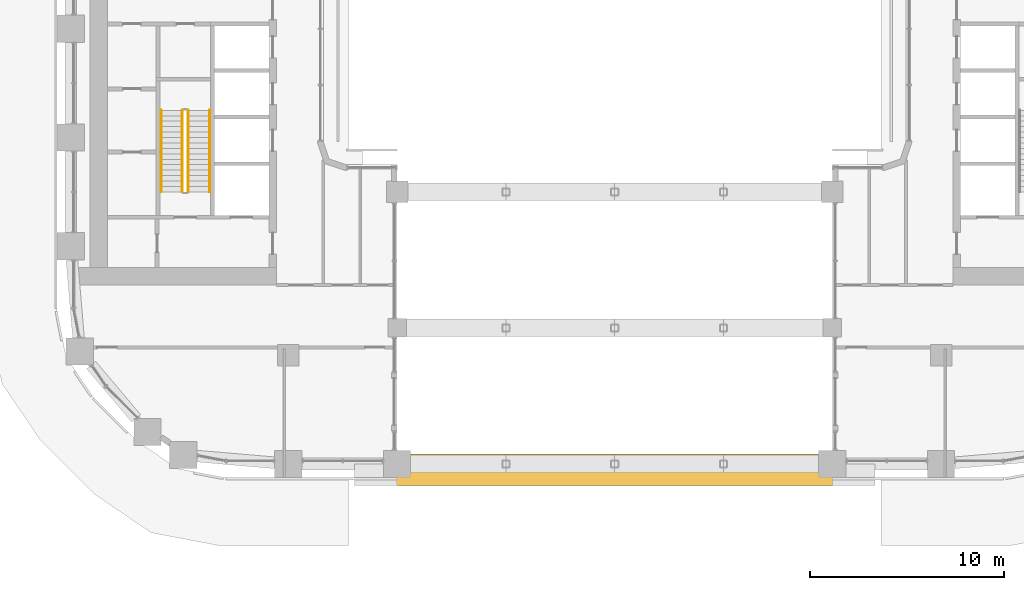
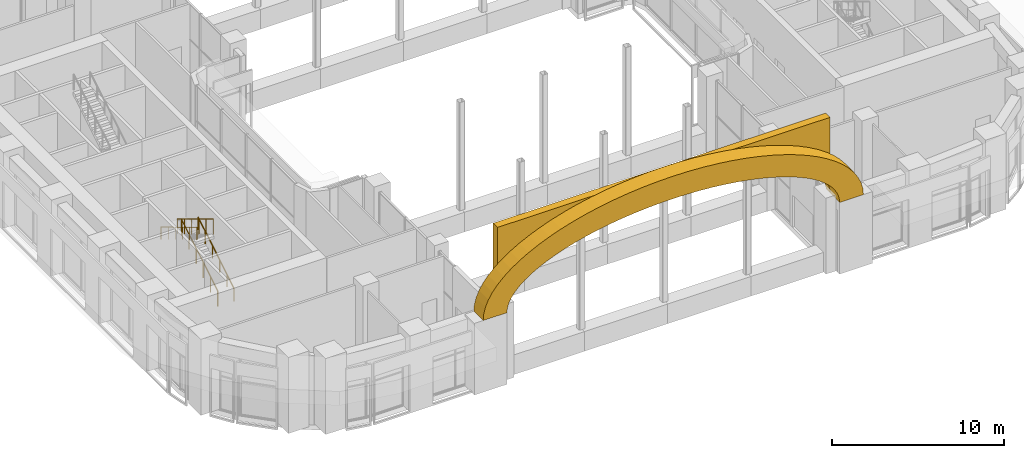
# One storey, part 20 of 27: 4 railings, 2 coverings.
"""IFC4 building model written with IfcOpenShell, lengths in metres."""

from ifc_helpers import new_model, si_unit, direction, frame, origin, origin_2d, place, context, subcontext, project, spatial, polyline, circle, outline, extrude, material, layer, layer_set, type_object, element, save


model = new_model("IFC4")

# Units and contexts
model_context = context("Model", 3, precision=1e-05, world=origin(), true_north=direction((0.0, 1.0)))
body_context = subcontext(model_context, "Body", "Model", "MODEL_VIEW")
ifc_project = project(units=[si_unit("LENGTHUNIT", "METRE"), si_unit("AREAUNIT", "SQUARE_METRE"), si_unit("VOLUMEUNIT", "CUBIC_METRE"), si_unit("PLANEANGLEUNIT", "RADIAN"), si_unit("MASSUNIT", "GRAM", prefix="KILO")], contexts=[model_context])

# Site, building, storey
site_placement = place(None, origin())
site = spatial("IfcSite", under=ifc_project, at=site_placement, CompositionType="ELEMENT")
building_placement = place(site_placement, origin())
building = spatial("IfcBuilding", under=site, at=building_placement, Name="Kiln Ring Residences", CompositionType="ELEMENT")
storey_placement = place(building_placement, frame((0.0, 0.0, 72.5)))
storey = spatial("IfcBuildingStorey", under=building, at=storey_placement, Name="L18", CompositionType="ELEMENT", Elevation=72.5)

# Railings
ifc_material_1 = material(Name="Stainless steel", Category="steel")
railing_type_1 = type_object("IfcRailingType", Name="CORE-STAIR-GUARD", PredefinedType="GUARDRAIL", material=ifc_material_1)
railing_1_placement = place(storey_placement, frame((-21.949951171875, -8.39990234375, 0.168701171875)))
element("IfcRailing", 1, at=railing_1_placement, inside=storey, type_object=railing_type_1, Name="L18 W-STS stair guard 1", PredefinedType="GUARDRAIL", context=body_context, shape_type="SweptSolid", body=[
    extrude(circle(Radius=0.02392578125, at=origin_2d()), frame((0.0, 0.0, 1.076171875), z_axis=(0.0, 0.856476492594, 0.516186030065), x_axis=(-1.0, 0.0, 0.0)), (0.0, 0.0, 1.0), 4.90380859375),
    extrude(circle(Radius=0.02099609375, at=origin_2d()), origin(), (0.0, 0.0, 1.0), 1.052001953125),
    extrude(circle(Radius=0.02099609375, at=origin_2d()), frame((0.0, 0.840087890625, 0.50634765625)), (0.0, 0.0, 1.0), 1.052001953125),
    extrude(circle(Radius=0.02099609375, at=origin_2d()), frame((0.0, 1.679931640625, 1.012451171875)), (0.0, 0.0, 1.0), 1.052001953125),
    extrude(circle(Radius=0.02099609375, at=origin_2d()), frame((0.0, 2.52001953125, 1.518798828125)), (0.0, 0.0, 1.0), 1.052001953125),
    extrude(circle(Radius=0.02099609375, at=origin_2d()), frame((0.0, 3.35986328125, 2.02490234375)), (0.0, 0.0, 1.0), 1.052001953125),
    extrude(circle(Radius=0.02099609375, at=origin_2d()), frame((0.0, 4.199951171875, 2.53125)), (0.0, 0.0, 1.0), 1.052001953125),
])
railing_2_placement = place(storey_placement, frame((-22.25, -4.199951171875, 2.86865234375)))
element("IfcRailing", 2, at=railing_2_placement, inside=storey, type_object=railing_type_1, Name="L18 W-STS stair guard 3", PredefinedType="GUARDRAIL", context=body_context, shape_type="SweptSolid", body=[
    extrude(circle(Radius=0.02392578125, at=origin_2d()), frame((0.0, 0.0, 1.076171875), z_axis=(0.0, -0.856476492594, 0.516186030065), x_axis=(1.0, 0.0, 0.0)), (0.0, 0.0, 1.0), 4.90380859375),
    extrude(circle(Radius=0.02099609375, at=origin_2d()), origin(), (0.0, 0.0, 1.0), 1.052001953125),
    extrude(circle(Radius=0.02099609375, at=origin_2d()), frame((0.0, -0.840087890625, 0.50634765625)), (0.0, 0.0, 1.0), 1.052001953125),
    extrude(circle(Radius=0.02099609375, at=origin_2d()), frame((0.0, -1.679931640625, 1.012451171875)), (0.0, 0.0, 1.0), 1.052001953125),
    extrude(circle(Radius=0.02099609375, at=origin_2d()), frame((0.0, -2.52001953125, 1.518798828125)), (0.0, 0.0, 1.0), 1.052001953125),
    extrude(circle(Radius=0.02099609375, at=origin_2d()), frame((0.0, -3.35986328125, 2.02490234375)), (0.0, 0.0, 1.0), 1.052001953125),
    extrude(circle(Radius=0.02099609375, at=origin_2d()), frame((0.0, -4.199951171875, 2.53125)), (0.0, 0.0, 1.0), 1.052001953125),
])
ifc_material_2 = material(Name="Stainless steel", Category="steel")
railing_type_2 = type_object("IfcRailingType", Name="CORE-STAIR-HANDRAIL", PredefinedType="HANDRAIL", material=ifc_material_2)
railing_3_placement = place(storey_placement, frame((-20.85009765625, -8.39990234375, 0.168701171875)))
element("IfcRailing", 3, at=railing_3_placement, inside=storey, type_object=railing_type_2, Name="L18 W-STS stair handrail 1", PredefinedType="HANDRAIL", context=body_context, shape_type="SweptSolid", body=[
    extrude(circle(Radius=0.02392578125, at=origin_2d()), frame((0.0, 0.0, 0.8759765625), z_axis=(0.0, 0.856476492594, 0.516186030065), x_axis=(-1.0, 0.0, 0.0)), (0.0, 0.0, 1.0), 4.90380859375),
    extrude(circle(Radius=0.02099609375, at=origin_2d()), origin(), (0.0, 0.0, 1.0), 0.851806640625),
    extrude(circle(Radius=0.02099609375, at=origin_2d()), frame((0.0, 0.840087890625, 0.50634765625)), (0.0, 0.0, 1.0), 0.851806640625),
    extrude(circle(Radius=0.02099609375, at=origin_2d()), frame((0.0, 1.679931640625, 1.012451171875)), (0.0, 0.0, 1.0), 0.851806640625),
    extrude(circle(Radius=0.02099609375, at=origin_2d()), frame((0.0, 2.52001953125, 1.518798828125)), (0.0, 0.0, 1.0), 0.851806640625),
    extrude(circle(Radius=0.02099609375, at=origin_2d()), frame((0.0, 3.35986328125, 2.02490234375)), (0.0, 0.0, 1.0), 0.851806640625),
    extrude(circle(Radius=0.02099609375, at=origin_2d()), frame((0.0, 4.199951171875, 2.53125)), (0.0, 0.0, 1.0), 0.851806640625),
])
railing_4_placement = place(storey_placement, frame((-23.35009765625, -4.199951171875, 2.86865234375)))
element("IfcRailing", 4, at=railing_4_placement, inside=storey, type_object=railing_type_2, Name="L18 W-STS stair handrail 2", PredefinedType="HANDRAIL", context=body_context, shape_type="SweptSolid", body=[
    extrude(circle(Radius=0.02392578125, at=origin_2d()), frame((0.0, 0.0, 0.8759765625), z_axis=(0.0, -0.856476492594, 0.516186030065), x_axis=(1.0, 0.0, 0.0)), (0.0, 0.0, 1.0), 4.90380859375),
    extrude(circle(Radius=0.02099609375, at=origin_2d()), origin(), (0.0, 0.0, 1.0), 0.851806640625),
    extrude(circle(Radius=0.02099609375, at=origin_2d()), frame((0.0, -0.840087890625, 0.50634765625)), (0.0, 0.0, 1.0), 0.851806640625),
    extrude(circle(Radius=0.02099609375, at=origin_2d()), frame((0.0, -1.679931640625, 1.012451171875)), (0.0, 0.0, 1.0), 0.851806640625),
    extrude(circle(Radius=0.02099609375, at=origin_2d()), frame((0.0, -2.52001953125, 1.518798828125)), (0.0, 0.0, 1.0), 0.851806640625),
    extrude(circle(Radius=0.02099609375, at=origin_2d()), frame((0.0, -3.35986328125, 2.02490234375)), (0.0, 0.0, 1.0), 0.851806640625),
    extrude(circle(Radius=0.02099609375, at=origin_2d()), frame((0.0, -4.199951171875, 2.53125)), (0.0, 0.0, 1.0), 0.851806640625),
])

# Coverings
ifc_material_3 = material(Name="Concrete C35/45, exposed aggregate finish", Category="concrete")
covering_type_1 = type_object("IfcCoveringType", Name="PORTAL ARCHIVOLT 700", PredefinedType="CLADDING", material=ifc_material_3)
covering_1_placement = place(storey_placement, frame((12.800048828125, -22.949951171875, 5.10009765625), z_axis=(0.0, 0.0, 1.0), x_axis=(-1.0, 0.0, 0.0)))
element("IfcCovering", 5, at=covering_1_placement, inside=storey, type_object=covering_type_1, Name="PORTAL ARCHIVOLT L18", PredefinedType="CLADDING", context=body_context, shape_type="SweptSolid", body=[
    extrude(outline(polyline([(0.0, 0.0), (0.03955078125, 0.455078125), (0.15771484375, 0.9072265625), (0.353759765625, 1.35400390625), (0.62646484375, 1.792236328125), (0.974365234375, 2.219482421875), (1.39501953125, 2.633056640625), (1.88623046875, 3.030517578125), (2.444580078125, 3.4091796875), (3.06689453125, 3.7666015625), (3.7490234375, 4.10107421875), (4.487060546875, 4.410400390625), (5.2763671875, 4.692138671875), (6.112060546875, 4.9453125), (6.989013671875, 5.167724609375), (7.901611328125, 5.3583984375), (8.844482421875, 5.51611328125), (9.81201171875, 5.6396484375), (10.797607421875, 5.728515625), (11.795654296875, 5.781982421875), (12.800048828125, 5.7998046875), (13.80419921875, 5.781982421875), (14.802490234375, 5.728515625), (15.7880859375, 5.6396484375), (16.75537109375, 5.51611328125), (17.6982421875, 5.3583984375), (18.611083984375, 5.167724609375), (19.488037109375, 4.9453125), (20.32373046875, 4.692138671875), (21.11279296875, 4.410400390625), (21.85107421875, 4.10107421875), (22.533203125, 3.7666015625), (23.155517578125, 3.4091796875), (23.7138671875, 3.030517578125), (24.204833984375, 2.633056640625), (24.625732421875, 2.219482421875), (24.973388671875, 1.792236328125), (25.246337890625, 1.35400390625), (25.4423828125, 0.9072265625), (25.560546875, 0.455078125), (25.60009765625, 0.0), (24.0, 0.0), (23.965576171875, 0.329345703125), (23.862060546875, 0.656982421875), (23.6904296875, 0.98046875), (23.451904296875, 1.2978515625), (23.1474609375, 1.607177734375), (22.779296875, 1.90673828125), (22.349609375, 2.1943359375), (21.861083984375, 2.468505859375), (21.31640625, 2.7275390625), (20.719482421875, 2.9697265625), (20.07373046875, 3.193603515625), (19.38330078125, 3.397705078125), (18.652099609375, 3.5810546875), (17.884765625, 3.7421875), (17.086181640625, 3.880126953125), (16.260986328125, 3.994384765625), (15.41455078125, 4.083984375), (14.552001953125, 4.148193359375), (13.6787109375, 4.18701171875), (12.800048828125, 4.199951171875), (11.92138671875, 4.18701171875), (11.0478515625, 4.148193359375), (10.185302734375, 4.083984375), (9.339111328125, 3.994384765625), (8.513916015625, 3.880126953125), (7.71533203125, 3.7421875), (6.947998046875, 3.5810546875), (6.216796875, 3.397705078125), (5.526123046875, 3.193603515625), (4.88037109375, 2.9697265625), (4.283447265625, 2.7275390625), (3.739013671875, 2.468505859375), (3.25048828125, 2.1943359375), (2.82080078125, 1.90673828125), (2.452392578125, 1.607177734375), (2.148193359375, 1.2978515625), (1.909423828125, 0.98046875), (1.73779296875, 0.656982421875), (1.634521484375, 0.329345703125), (1.60009765625, 0.0), (0.0, 0.0)])), frame((0.0, 0.550048828125, 0.0), z_axis=(0.0, -1.0, 0.0), x_axis=(1.0, 0.0, 0.0)), (0.0, 0.0, 1.0), 1.10009765625),
])
ifc_material_4 = material(Name="Concrete C35/45, exposed aggregate finish", Category="concrete")
ifc_layer = layer(ifc_material_4, 0.5)
ifc_layer_set = layer_set([ifc_layer], Name="PORTAL TYMPANUM 500")
covering_type_2 = type_object("IfcCoveringType", Name="PORTAL TYMPANUM 500", PredefinedType="CLADDING", material=ifc_layer_set)
covering_2_placement = place(storey_placement, frame((11.199951171875, -22.14990234375, 5.10009765625), z_axis=(0.0, 0.0, 1.0), x_axis=(-1.0, 0.0, 0.0)))
element("IfcCovering", 6, at=covering_2_placement, inside=storey, type_object=covering_type_2, Name="PORTAL TYMPANUM L18", PredefinedType="CLADDING", context=body_context, shape_type="SweptSolid", body=[
    extrude(outline(polyline([(22.39990234375, 0.0), (22.39990234375, 5.39990234375), (0.0, 5.39990234375), (0.0, 0.0), (0.034423828125, 0.329345703125), (0.137939453125, 0.656982421875), (0.3095703125, 0.98046875), (0.548095703125, 1.2978515625), (0.8525390625, 1.607177734375), (1.220703125, 1.90673828125), (1.650390625, 2.1943359375), (2.138916015625, 2.468505859375), (2.68359375, 2.7275390625), (3.280517578125, 2.9697265625), (3.92626953125, 3.193603515625), (4.61669921875, 3.397705078125), (5.347900390625, 3.5810546875), (6.115234375, 3.7421875), (6.913818359375, 3.880126953125), (7.739013671875, 3.994384765625), (8.58544921875, 4.083984375), (9.447998046875, 4.148193359375), (10.3212890625, 4.18701171875), (11.199951171875, 4.199951171875), (12.07861328125, 4.18701171875), (12.9521484375, 4.148193359375), (13.814697265625, 4.083984375), (14.660888671875, 3.994384765625), (15.486083984375, 3.880126953125), (16.28466796875, 3.7421875), (17.052001953125, 3.5810546875), (17.783203125, 3.397705078125), (18.473876953125, 3.193603515625), (19.11962890625, 2.9697265625), (19.716552734375, 2.7275390625), (20.260986328125, 2.468505859375), (20.74951171875, 2.1943359375), (21.17919921875, 1.90673828125), (21.547607421875, 1.607177734375), (21.851806640625, 1.2978515625), (22.090576171875, 0.98046875), (22.26220703125, 0.656982421875), (22.365478515625, 0.329345703125), (22.39990234375, 0.0)])), frame((0.0, 0.25, 0.0), z_axis=(0.0, -1.0, 0.0), x_axis=(1.0, 0.0, 0.0)), (0.0, 0.0, 1.0), 0.5),
])

save(model, "model.ifc")
